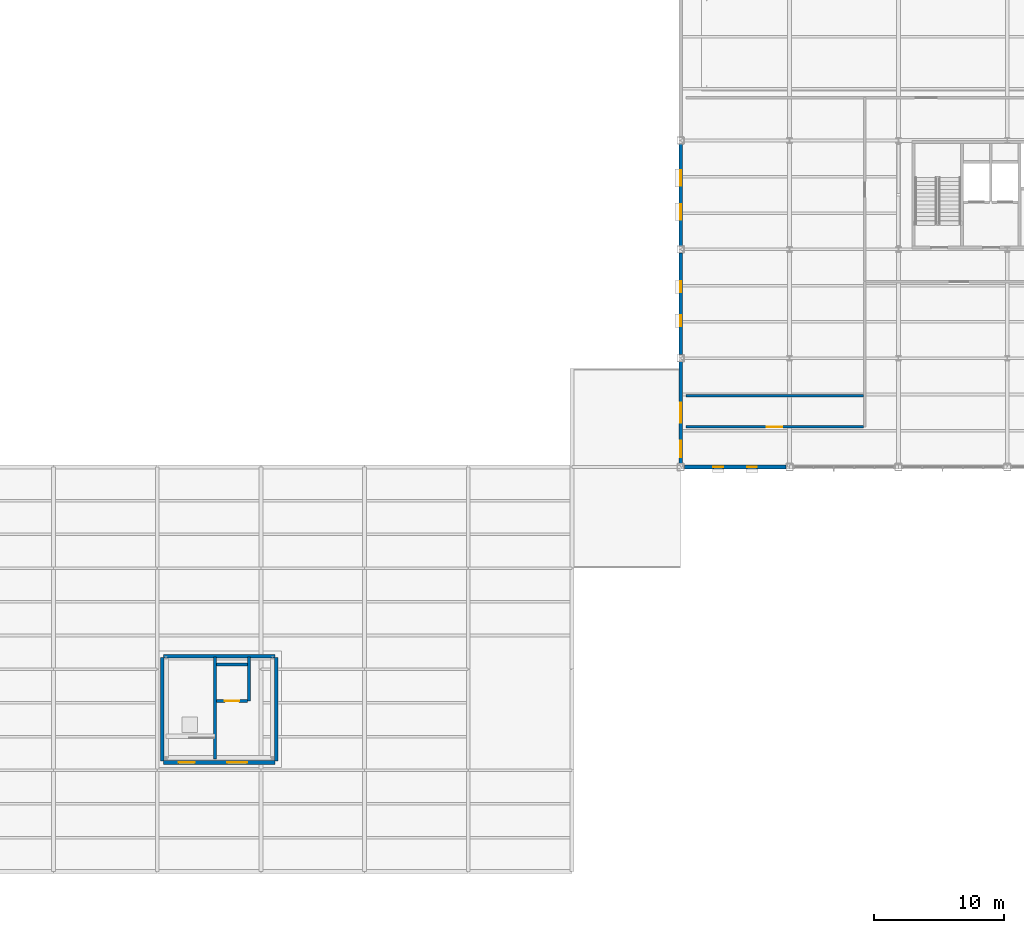
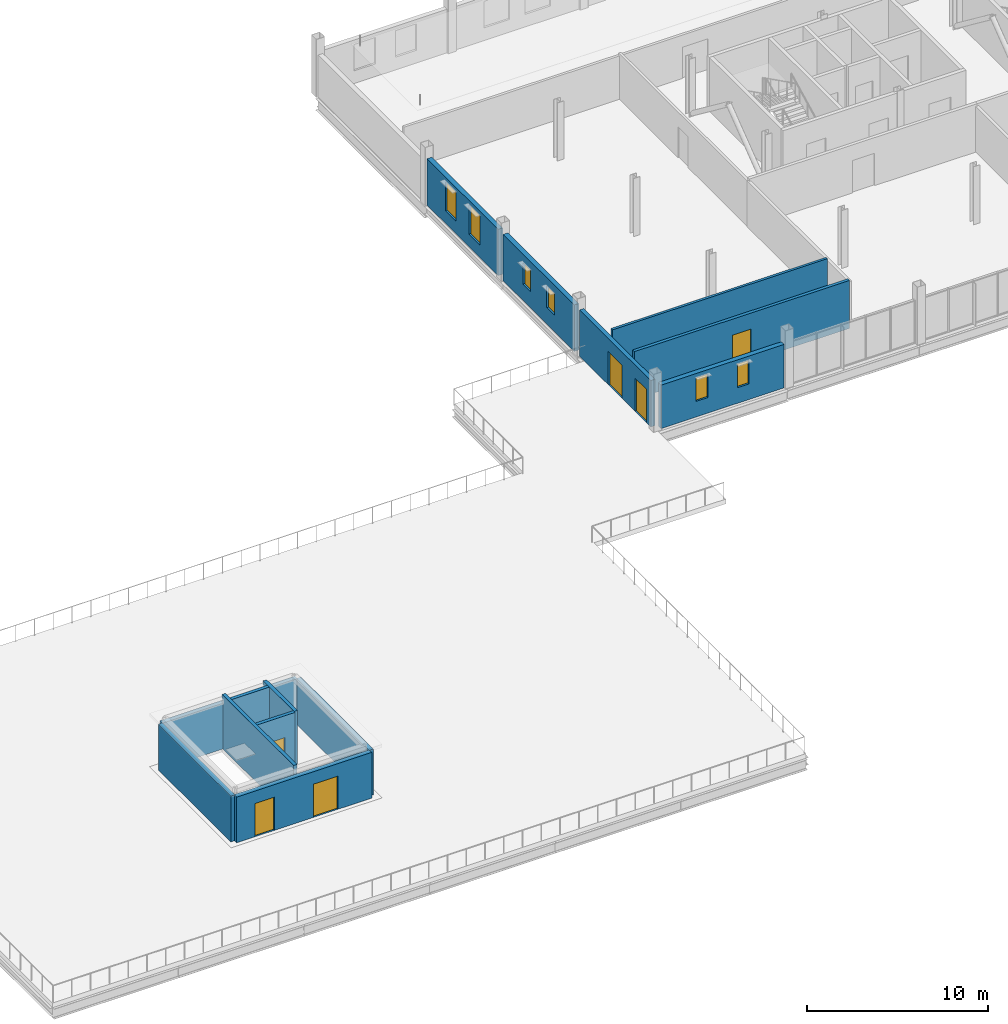
# One storey, part 62 of 77: 14 walls, 6 doors, 6 windows, 12 openings.
"""IFC4 building model written with IfcOpenShell, lengths in metres."""

from ifc_helpers import new_model, si_unit, direction, frame, frame_2d, origin, place, context, subcontext, project, spatial, rectangle, extrude, material, layer, layer_set, type_object, element, fill, save


model = new_model("IFC4")

# Units and contexts
model_context = context("Model", 3, precision=1e-05, world=origin(), true_north=direction((0.0, 1.0)))
body_context = subcontext(model_context, "Body", "Model", "MODEL_VIEW")
ifc_project = project(units=[si_unit("LENGTHUNIT", "METRE"), si_unit("AREAUNIT", "SQUARE_METRE"), si_unit("VOLUMEUNIT", "CUBIC_METRE"), si_unit("PLANEANGLEUNIT", "RADIAN"), si_unit("MASSUNIT", "GRAM", prefix="KILO")], contexts=[model_context])

# Site, building, storey
site_placement = place(None, origin())
site = spatial("IfcSite", under=ifc_project, at=site_placement, CompositionType="ELEMENT")
building_placement = place(site_placement, origin())
building = spatial("IfcBuilding", under=site, at=building_placement, Name="Yukiwa Park Conservatory and Herbarium", CompositionType="ELEMENT")
storey_placement = place(building_placement, frame((0.0, 0.0, 13.199951171875)))
storey = spatial("IfcBuildingStorey", under=building, at=storey_placement, Name="L03", CompositionType="ELEMENT", Elevation=13.199951171875)

# Wall
ifc_material_1 = material(Name="Concrete C40", Category="concrete")
ifc_layer_1 = layer(ifc_material_1, 0.219970703125)
ifc_layer_set_1 = layer_set([ifc_layer_1], Name="Concrete C40")
wall_type_1 = type_object("IfcWallType", Name="WL-CORE-RC220", PredefinedType="SHEAR", material=ifc_layer_set_1)
wall_1_placement = place(storey_placement, frame((80.4599609375, 55.449951171875, 0.0), z_axis=(0.0, 0.0, 1.0), x_axis=(0.0, 1.0, 0.0)))
element("IfcWall", 1, at=wall_1_placement, inside=storey, type_object=wall_type_1, Name="L03 core shear wall 323", PredefinedType="SHEAR", context=body_context, shape_type="SweptSolid", body=[
    extrude(rectangle(XDim=7.900146484375, YDim=0.219970703125, at=frame_2d((3.9501953125, 0.0))), origin(), (0.0, 0.0, 1.0), 3.6201171875),
])

# Wall, opening, door
wall_2_placement = place(storey_placement, frame((80.570068359375, 59.93994140625, 0.0), z_axis=(0.0, 0.0, 1.0), x_axis=(1.0, 0.0, 0.0)))
wall_2 = element("IfcWall", 2, at=wall_2_placement, inside=storey, type_object=wall_type_1, Name="L03 core shear wall 324", PredefinedType="SHEAR", context=body_context, shape_type="SweptSolid", body=[
    extrude(rectangle(XDim=2.39990234375, YDim=0.219970703125, at=frame_2d((1.199951171875, 0.0))), origin(), (0.0, 0.0, 1.0), 3.6201171875),
])
opening_1_placement = place(wall_2_placement, frame((0.64990234375, 0.0, 0.0)))
opening_1 = element("IfcOpeningElement", 3, at=opening_1_placement, cuts=wall_2, Name="Opening LD-01", PredefinedType="OPENING", context=body_context, shape_type="SweptSolid", body=[
    extrude(rectangle(XDim=1.10009765625, YDim=2.14990234375, at=frame_2d((0.550048828125, 1.074951171875))), frame((0.0, 0.1201171875, 0.0), z_axis=(0.0, -1.0, 0.0), x_axis=(1.0, 0.0, 0.0)), (0.0, 0.0, 1.0), 0.239990234375),
])
ifc_material_2 = material(Name="Steel Q235B", Category="steel")
door_type_1 = type_object("IfcDoorType", Name="DR-LIFT-LD1100", OperationType="SLIDING_TO_LEFT", PredefinedType="DOOR", material=ifc_material_2)
door_1_placement = place(opening_1_placement, origin())
door_1 = element("IfcDoor", 4, at=door_1_placement, inside=storey, type_object=door_type_1, Name="L03 Visitor Accessible Lift VL1 sliding landing door", OperationType="SLIDING_TO_LEFT", OverallHeight=2.14990234375, OverallWidth=1.10009765625, PredefinedType="DOOR", context=body_context, shape_type="SweptSolid", body=[
    extrude(rectangle(XDim=1.10009765625, YDim=2.14990234375, at=frame_2d((0.550048828125, 1.074951171875))), frame((0.0, 0.02490234375, 0.0), z_axis=(0.0, -1.0, 0.0), x_axis=(1.0, 0.0, 0.0)), (0.0, 0.0, 1.0), 0.050048828125),
])
fill(opening_1, door_1)

# Walls
wall_3_placement = place(storey_placement, frame((83.080078125, 59.93994140625, 0.0), z_axis=(0.0, 0.0, 1.0), x_axis=(0.0, 1.0, 0.0)))
element("IfcWall", 5, at=wall_3_placement, inside=storey, type_object=wall_type_1, Name="L03 core shear wall 325", PredefinedType="SHEAR", context=body_context, shape_type="SweptSolid", body=[
    extrude(rectangle(XDim=3.41015625, YDim=0.219970703125, at=frame_2d((1.705078125, 0.0))), origin(), (0.0, 0.0, 1.0), 3.6201171875),
])
wall_4_placement = place(storey_placement, frame((80.570068359375, 62.760009765625, 0.0), z_axis=(0.0, 0.0, 1.0), x_axis=(1.0, 0.0, 0.0)))
element("IfcWall", 6, at=wall_4_placement, inside=storey, type_object=wall_type_1, Name="L03 core shear wall 326", PredefinedType="SHEAR", context=body_context, shape_type="SweptSolid", body=[
    extrude(rectangle(XDim=2.39990234375, YDim=0.219970703125, at=frame_2d((1.199951171875, 0.0))), origin(), (0.0, 0.0, 1.0), 3.6201171875),
])

# Wall, openings, doors
ifc_material_3 = material(Name="Pale Granite Cladding", Category="masonry")
ifc_layer_2 = layer(ifc_material_3, 0.280029296875)
ifc_layer_set_2 = layer_set([ifc_layer_2], Name="Pale Granite Cladding")
wall_type_2 = type_object("IfcWallType", Name="WL-EXT-GRAN-280", PredefinedType="SOLIDWALL", material=ifc_layer_set_2)
wall_5_placement = place(storey_placement, frame((76.5, 55.199951171875, 0.0), z_axis=(0.0, 0.0, 1.0), x_axis=(1.0, 0.0, 0.0)))
wall_5 = element("IfcWall", 7, at=wall_5_placement, inside=storey, type_object=wall_type_2, Name="L03 C3 rooftop pavilion south wall", PredefinedType="SOLIDWALL", context=body_context, shape_type="SweptSolid", body=[
    extrude(rectangle(XDim=8.60009765625, YDim=0.280029296875, at=frame_2d((4.300048828125, 0.0))), origin(), (0.0, 0.0, 1.0), 3.080078125),
])
opening_2_placement = place(wall_5_placement, frame((4.89990234375, 0.0, 0.0)))
opening_2 = element("IfcOpeningElement", 8, at=opening_2_placement, cuts=wall_5, Name="Opening TD-02", PredefinedType="OPENING", context=body_context, shape_type="SweptSolid", body=[
    extrude(rectangle(XDim=1.5400390625, YDim=2.239990234375, at=frame_2d((0.77001953125, 1.1201171875))), frame((0.0, 0.14990234375, 0.0), z_axis=(0.0, -1.0, 0.0), x_axis=(1.0, 0.0, 0.0)), (0.0, 0.0, 1.0), 0.300048828125),
])
opening_3_placement = place(wall_5_placement, frame((1.14990234375, 0.0, 0.0)))
opening_3 = element("IfcOpeningElement", 9, at=opening_3_placement, cuts=wall_5, Name="Opening TD-01", PredefinedType="OPENING", context=body_context, shape_type="SweptSolid", body=[
    extrude(rectangle(XDim=1.260009765625, YDim=2.239990234375, at=frame_2d((0.6298828125, 1.1201171875))), frame((0.0, 0.14990234375, 0.0), z_axis=(0.0, -1.0, 0.0), x_axis=(1.0, 0.0, 0.0)), (0.0, 0.0, 1.0), 0.300048828125),
])
ifc_material_4 = material(Name="Steel Q235B", Category="steel")
door_type_2 = type_object("IfcDoorType", Name="DR-EXT-TER1200", OperationType="SINGLE_SWING_LEFT", PredefinedType="DOOR", material=ifc_material_4)
door_2_placement = place(opening_3_placement, frame((1.260009765625, 0.0, 0.0), z_axis=(0.0, 0.0, 1.0), x_axis=(-1.0, 0.0, 0.0)))
door_2 = element("IfcDoor", 10, at=door_2_placement, inside=storey, type_object=door_type_2, Name="L03 ST-V1 stair exit door to Planted Roof Terrace", OperationType="SINGLE_SWING_LEFT", OverallHeight=2.239990234375, OverallWidth=1.260009765625, PredefinedType="DOOR", context=body_context, shape_type="SweptSolid", body=[
    extrude(rectangle(XDim=1.260009765625, YDim=2.239990234375, at=frame_2d((0.6298828125, 1.1201171875))), frame((0.0, 0.02490234375, 0.0), z_axis=(0.0, -1.0, 0.0), x_axis=(1.0, 0.0, 0.0)), (0.0, 0.0, 1.0), 0.050048828125),
])
fill(opening_3, door_2)
ifc_material_5 = material(Name="Steel Q235B", Category="steel")
door_type_3 = type_object("IfcDoorType", Name="DR-EXT-TER1500", OperationType="DOUBLE_DOOR_SINGLE_SWING", PredefinedType="DOOR", material=ifc_material_5)
door_3_placement = place(opening_2_placement, frame((1.5400390625, 0.0, 0.0), z_axis=(0.0, 0.0, 1.0), x_axis=(-1.0, 0.0, 0.0)))
door_3 = element("IfcDoor", 11, at=door_3_placement, inside=storey, type_object=door_type_3, Name="L03 C3 lift lobby exit door to Planted Roof Terrace", OperationType="DOUBLE_DOOR_SINGLE_SWING", OverallHeight=2.239990234375, OverallWidth=1.5400390625, PredefinedType="DOOR", context=body_context, shape_type="SweptSolid", body=[
    extrude(rectangle(XDim=1.5400390625, YDim=2.239990234375, at=frame_2d((0.77001953125, 1.1201171875))), frame((0.0, 0.02490234375, 0.0), z_axis=(0.0, -1.0, 0.0), x_axis=(1.0, 0.0, 0.0)), (0.0, 0.0, 1.0), 0.050048828125),
])
fill(opening_2, door_3)

# Walls
wall_6_placement = place(storey_placement, frame((85.199951171875, 55.300048828125, 0.0), z_axis=(0.0, 0.0, 1.0), x_axis=(0.0, 1.0, 0.0)))
element("IfcWall", 12, at=wall_6_placement, inside=storey, type_object=wall_type_2, Name="L03 C3 rooftop pavilion east wall", PredefinedType="SOLIDWALL", context=body_context, shape_type="SweptSolid", body=[
    extrude(rectangle(XDim=8.0, YDim=0.280029296875, at=frame_2d((4.0, 0.0))), origin(), (0.0, 0.0, 1.0), 3.080078125),
])
wall_7_placement = place(storey_placement, frame((85.10009765625, 63.39990234375, 0.0), z_axis=(0.0, 0.0, 1.0), x_axis=(-1.0, 0.0, 0.0)))
element("IfcWall", 13, at=wall_7_placement, inside=storey, type_object=wall_type_2, Name="L03 C3 rooftop pavilion north wall", PredefinedType="SOLIDWALL", context=body_context, shape_type="SweptSolid", body=[
    extrude(rectangle(XDim=8.60009765625, YDim=0.280029296875, at=frame_2d((4.300048828125, 0.0))), origin(), (0.0, 0.0, 1.0), 3.080078125),
])
wall_8_placement = place(storey_placement, frame((76.39990234375, 63.300048828125, 0.0), z_axis=(0.0, 0.0, 1.0), x_axis=(0.0, -1.0, 0.0)))
element("IfcWall", 14, at=wall_8_placement, inside=storey, type_object=wall_type_2, Name="L03 C3 rooftop pavilion west wall", PredefinedType="SOLIDWALL", context=body_context, shape_type="SweptSolid", body=[
    extrude(rectangle(XDim=8.0, YDim=0.280029296875, at=frame_2d((4.0, 0.0))), origin(), (0.0, 0.0, 1.0), 3.080078125),
])

# Wall, openings, windows
ifc_material_6 = material(Name="Pale Granite Cladding", Category="masonry")
ifc_layer_3 = layer(ifc_material_6, 0.300048828125)
ifc_layer_set_3 = layer_set([ifc_layer_3], Name="Pale Granite Cladding")
wall_type_3 = type_object("IfcWallType", Name="WL-EXT-GRAN-300", PredefinedType="SOLIDWALL", material=ifc_layer_set_3)
wall_9_placement = place(storey_placement, frame((116.39990234375, 102.925048828125, 0.0), z_axis=(0.0, 0.0, 1.0), x_axis=(0.0, -1.0, 0.0)))
wall_9 = element("IfcWall", 15, at=wall_9_placement, inside=storey, type_object=wall_type_3, Name="L03 exterior envelope wall 254", PredefinedType="SOLIDWALL", context=body_context, shape_type="SweptSolid", body=[
    extrude(rectangle(XDim=7.85009765625, YDim=0.300048828125, at=frame_2d((3.925048828125, 0.0))), origin(), (0.0, 0.0, 1.0), 3.1201171875),
])
opening_4_placement = place(wall_9_placement, frame((2.01708984375, 0.0, 0.85009765625)))
opening_4 = element("IfcOpeningElement", 16, at=opening_4_placement, cuts=wall_9, Name="Opening W-03", PredefinedType="OPENING", context=body_context, shape_type="SweptSolid", body=[
    extrude(rectangle(XDim=1.199951171875, YDim=1.969970703125, at=frame_2d((0.60009765625, 0.98486328125))), frame((0.0, 0.16015625, 0.0), z_axis=(0.0, -1.0, 0.0), x_axis=(1.0, 0.0, 0.0)), (0.0, 0.0, 1.0), 0.320068359375),
])
opening_5_placement = place(wall_9_placement, frame((4.633056640625, 0.0, 0.85009765625)))
opening_5 = element("IfcOpeningElement", 17, at=opening_5_placement, cuts=wall_9, Name="Opening W-03", PredefinedType="OPENING", context=body_context, shape_type="SweptSolid", body=[
    extrude(rectangle(XDim=1.199951171875, YDim=1.969970703125, at=frame_2d((0.60009765625, 0.98486328125))), frame((0.0, 0.16015625, 0.0), z_axis=(0.0, -1.0, 0.0), x_axis=(1.0, 0.0, 0.0)), (0.0, 0.0, 1.0), 0.320068359375),
])
ifc_material_7 = material(Name="Triple Low-E Insulated Glass", Category="glass")
window_type_1 = type_object("IfcWindowType", Name="WN-TW-1200X2100", PartitioningType="SINGLE_PANEL", PredefinedType="WINDOW", material=ifc_material_7)
window_1_placement = place(opening_4_placement, origin())
window_1 = element("IfcWindow", 18, at=window_1_placement, inside=storey, type_object=window_type_1, Name="L03 deep-reveal triple-glazed window 192", OverallHeight=1.969970703125, OverallWidth=1.199951171875, PartitioningType="SINGLE_PANEL", PredefinedType="WINDOW", context=body_context, shape_type="SweptSolid", body=[
    extrude(rectangle(XDim=1.199951171875, YDim=1.969970703125, at=frame_2d((0.60009765625, 0.98486328125))), frame((0.0, 0.030029296875, 0.0), z_axis=(0.0, -1.0, 0.0), x_axis=(1.0, 0.0, 0.0)), (0.0, 0.0, 1.0), 0.06005859375),
])
fill(opening_4, window_1)
window_2_placement = place(opening_5_placement, origin())
window_2 = element("IfcWindow", 19, at=window_2_placement, inside=storey, type_object=window_type_1, Name="L03 deep-reveal triple-glazed window 193", OverallHeight=1.969970703125, OverallWidth=1.199951171875, PartitioningType="SINGLE_PANEL", PredefinedType="WINDOW", context=body_context, shape_type="SweptSolid", body=[
    extrude(rectangle(XDim=1.199951171875, YDim=1.969970703125, at=frame_2d((0.60009765625, 0.98486328125))), frame((0.0, 0.030029296875, 0.0), z_axis=(0.0, -1.0, 0.0), x_axis=(1.0, 0.0, 0.0)), (0.0, 0.0, 1.0), 0.06005859375),
])
fill(opening_5, window_2)

wall_10_placement = place(storey_placement, frame((116.39990234375, 94.52490234375, 0.0), z_axis=(0.0, 0.0, 1.0), x_axis=(0.0, -1.0, 0.0)))
wall_10 = element("IfcWall", 20, at=wall_10_placement, inside=storey, type_object=wall_type_3, Name="L03 exterior envelope wall 255", PredefinedType="SOLIDWALL", context=body_context, shape_type="SweptSolid", body=[
    extrude(rectangle(XDim=7.849853515625, YDim=0.300048828125, at=frame_2d((3.9248046875, 0.0))), origin(), (0.0, 0.0, 1.0), 3.1201171875),
])
opening_6_placement = place(wall_10_placement, frame((2.19189453125, 0.0, 1.10009765625)))
opening_6 = element("IfcOpeningElement", 21, at=opening_6_placement, cuts=wall_10, Name="Opening W-27", PredefinedType="OPENING", context=body_context, shape_type="SweptSolid", body=[
    extrude(rectangle(XDim=0.85009765625, YDim=1.449951171875, at=frame_2d((0.425048828125, 0.72509765625))), frame((0.0, 0.16015625, 0.0), z_axis=(0.0, -1.0, 0.0), x_axis=(1.0, 0.0, 0.0)), (0.0, 0.0, 1.0), 0.320068359375),
])
opening_7_placement = place(wall_10_placement, frame((4.80810546875, 0.0, 1.10009765625)))
opening_7 = element("IfcOpeningElement", 22, at=opening_7_placement, cuts=wall_10, Name="Opening W-27", PredefinedType="OPENING", context=body_context, shape_type="SweptSolid", body=[
    extrude(rectangle(XDim=0.85009765625, YDim=1.449951171875, at=frame_2d((0.425048828125, 0.72509765625))), frame((0.0, 0.16015625, 0.0), z_axis=(0.0, -1.0, 0.0), x_axis=(1.0, 0.0, 0.0)), (0.0, 0.0, 1.0), 0.320068359375),
])
ifc_material_8 = material(Name="Triple Low-E Insulated Glass", Category="glass")
window_type_2 = type_object("IfcWindowType", Name="WN-HB-0850X1450", PartitioningType="SINGLE_PANEL", PredefinedType="WINDOW", material=ifc_material_8)
window_3_placement = place(opening_6_placement, origin())
window_3 = element("IfcWindow", 23, at=window_3_placement, inside=storey, type_object=window_type_2, Name="L03 deep-reveal triple-glazed window 194", OverallHeight=1.449951171875, OverallWidth=0.85009765625, PartitioningType="SINGLE_PANEL", PredefinedType="WINDOW", context=body_context, shape_type="SweptSolid", body=[
    extrude(rectangle(XDim=0.85009765625, YDim=1.449951171875, at=frame_2d((0.425048828125, 0.72509765625))), frame((0.0, 0.030029296875, 0.0), z_axis=(0.0, -1.0, 0.0), x_axis=(1.0, 0.0, 0.0)), (0.0, 0.0, 1.0), 0.06005859375),
])
fill(opening_6, window_3)
window_4_placement = place(opening_7_placement, origin())
window_4 = element("IfcWindow", 24, at=window_4_placement, inside=storey, type_object=window_type_2, Name="L03 deep-reveal triple-glazed window 195", OverallHeight=1.449951171875, OverallWidth=0.85009765625, PartitioningType="SINGLE_PANEL", PredefinedType="WINDOW", context=body_context, shape_type="SweptSolid", body=[
    extrude(rectangle(XDim=0.85009765625, YDim=1.449951171875, at=frame_2d((0.425048828125, 0.72509765625))), frame((0.0, 0.030029296875, 0.0), z_axis=(0.0, -1.0, 0.0), x_axis=(1.0, 0.0, 0.0)), (0.0, 0.0, 1.0), 0.06005859375),
])
fill(opening_7, window_4)

wall_11_placement = place(storey_placement, frame((116.675048828125, 78.0, 0.0), z_axis=(0.0, 0.0, 1.0), x_axis=(1.0, 0.0, 0.0)))
wall_11 = element("IfcWall", 25, at=wall_11_placement, inside=storey, type_object=wall_type_3, Name="L03 exterior envelope wall 257", PredefinedType="SOLIDWALL", context=body_context, shape_type="SweptSolid", body=[
    extrude(rectangle(XDim=7.849853515625, YDim=0.300048828125, at=frame_2d((3.9248046875, 0.0))), origin(), (0.0, 0.0, 1.0), 2.927978515625),
])
opening_8_placement = place(wall_11_placement, frame((2.241943359375, 0.0, 1.050048828125)))
opening_8 = element("IfcOpeningElement", 26, at=opening_8_placement, cuts=wall_11, Name="Opening W-10", PredefinedType="OPENING", context=body_context, shape_type="SweptSolid", body=[
    extrude(rectangle(XDim=0.75, YDim=1.580078125, at=frame_2d((0.375, 0.7900390625))), frame((0.0, 0.16015625, 0.0), z_axis=(0.0, -1.0, 0.0), x_axis=(1.0, 0.0, 0.0)), (0.0, 0.0, 1.0), 0.320068359375),
])
opening_9_placement = place(wall_11_placement, frame((4.85791015625, 0.0, 1.050048828125)))
opening_9 = element("IfcOpeningElement", 27, at=opening_9_placement, cuts=wall_11, Name="Opening W-10", PredefinedType="OPENING", context=body_context, shape_type="SweptSolid", body=[
    extrude(rectangle(XDim=0.75, YDim=1.580078125, at=frame_2d((0.375, 0.7900390625))), frame((0.0, 0.16015625, 0.0), z_axis=(0.0, -1.0, 0.0), x_axis=(1.0, 0.0, 0.0)), (0.0, 0.0, 1.0), 0.320068359375),
])
ifc_material_9 = material(Name="Triple Low-E Insulated Glass", Category="glass")
window_type_3 = type_object("IfcWindowType", Name="WN-HB-0750X1600", PartitioningType="SINGLE_PANEL", PredefinedType="WINDOW", material=ifc_material_9)
window_5_placement = place(opening_8_placement, origin())
window_5 = element("IfcWindow", 28, at=window_5_placement, inside=storey, type_object=window_type_3, Name="L03 deep-reveal triple-glazed window 196", OverallHeight=1.580078125, OverallWidth=0.75, PartitioningType="SINGLE_PANEL", PredefinedType="WINDOW", context=body_context, shape_type="SweptSolid", body=[
    extrude(rectangle(XDim=0.75, YDim=1.580078125, at=frame_2d((0.375, 0.7900390625))), frame((0.0, 0.030029296875, 0.0), z_axis=(0.0, -1.0, 0.0), x_axis=(1.0, 0.0, 0.0)), (0.0, 0.0, 1.0), 0.06005859375),
])
fill(opening_8, window_5)
window_6_placement = place(opening_9_placement, origin())
window_6 = element("IfcWindow", 29, at=window_6_placement, inside=storey, type_object=window_type_3, Name="L03 deep-reveal triple-glazed window 197", OverallHeight=1.580078125, OverallWidth=0.75, PartitioningType="SINGLE_PANEL", PredefinedType="WINDOW", context=body_context, shape_type="SweptSolid", body=[
    extrude(rectangle(XDim=0.75, YDim=1.580078125, at=frame_2d((0.375, 0.7900390625))), frame((0.0, 0.030029296875, 0.0), z_axis=(0.0, -1.0, 0.0), x_axis=(1.0, 0.0, 0.0)), (0.0, 0.0, 1.0), 0.06005859375),
])
fill(opening_9, window_6)

# Wall, openings, doors
ifc_material_10 = material(Name="Charred Larch Cladding", Category="wood")
ifc_layer_4 = layer(ifc_material_10, 0.260009765625)
ifc_layer_set_4 = layer_set([ifc_layer_4], Name="Charred Larch Cladding")
wall_type_4 = type_object("IfcWallType", Name="WL-EXT-LARCH-260", PredefinedType="SOLIDWALL", material=ifc_layer_set_4)
wall_12_placement = place(storey_placement, frame((116.39990234375, 86.125, 0.0), z_axis=(0.0, 0.0, 1.0), x_axis=(0.0, -1.0, 0.0)))
wall_12 = element("IfcWall", 30, at=wall_12_placement, inside=storey, type_object=wall_type_4, Name="L03 exterior envelope wall 256", PredefinedType="SOLIDWALL", context=body_context, shape_type="SweptSolid", body=[
    extrude(rectangle(XDim=7.85009765625, YDim=0.260009765625, at=frame_2d((3.925048828125, 0.0))), origin(), (0.0, 0.0, 1.0), 3.1201171875),
])
opening_10_placement = place(wall_12_placement, frame((3.155029296875, 0.0, 0.0)))
opening_10 = element("IfcOpeningElement", 31, at=opening_10_placement, cuts=wall_12, Name="Opening TD-02", PredefinedType="OPENING", context=body_context, shape_type="SweptSolid", body=[
    extrude(rectangle(XDim=1.5400390625, YDim=2.239990234375, at=frame_2d((0.77001953125, 1.1201171875))), frame((0.0, 0.14013671875, 0.0), z_axis=(0.0, -1.0, 0.0), x_axis=(1.0, 0.0, 0.0)), (0.0, 0.0, 1.0), 0.280029296875),
])
opening_11_placement = place(wall_12_placement, frame((6.094970703125, 0.0, 0.0)))
opening_11 = element("IfcOpeningElement", 32, at=opening_11_placement, cuts=wall_12, Name="Opening TD-01", PredefinedType="OPENING", context=body_context, shape_type="SweptSolid", body=[
    extrude(rectangle(XDim=1.260009765625, YDim=2.239990234375, at=frame_2d((0.6298828125, 1.1201171875))), frame((0.0, 0.14013671875, 0.0), z_axis=(0.0, -1.0, 0.0), x_axis=(1.0, 0.0, 0.0)), (0.0, 0.0, 1.0), 0.280029296875),
])
door_4_placement = place(opening_11_placement, frame((1.260009765625, 0.0, 0.0), z_axis=(0.0, 0.0, 1.0), x_axis=(-1.0, 0.0, 0.0)))
door_4 = element("IfcDoor", 33, at=door_4_placement, inside=storey, type_object=door_type_2, Name="L03 Herbarium vault door to Planted Roof Terrace", OperationType="SINGLE_SWING_LEFT", OverallHeight=2.239990234375, OverallWidth=1.260009765625, PredefinedType="DOOR", context=body_context, shape_type="SweptSolid", body=[
    extrude(rectangle(XDim=1.260009765625, YDim=2.239990234375, at=frame_2d((0.6298828125, 1.1201171875))), frame((0.0, 0.02490234375, 0.0), z_axis=(0.0, -1.0, 0.0), x_axis=(1.0, 0.0, 0.0)), (0.0, 0.0, 1.0), 0.050048828125),
])
fill(opening_11, door_4)
door_5_placement = place(opening_10_placement, frame((1.5400390625, 0.0, 0.0), z_axis=(0.0, 0.0, 1.0), x_axis=(-1.0, 0.0, 0.0)))
door_5 = element("IfcDoor", 34, at=door_5_placement, inside=storey, type_object=door_type_3, Name="L03 Tower corridor door to Planted Roof Terrace", OperationType="DOUBLE_DOOR_SINGLE_SWING", OverallHeight=2.239990234375, OverallWidth=1.5400390625, PredefinedType="DOOR", context=body_context, shape_type="SweptSolid", body=[
    extrude(rectangle(XDim=1.5400390625, YDim=2.239990234375, at=frame_2d((0.77001953125, 1.1201171875))), frame((0.0, 0.02490234375, 0.0), z_axis=(0.0, -1.0, 0.0), x_axis=(1.0, 0.0, 0.0)), (0.0, 0.0, 1.0), 0.050048828125),
])
fill(opening_10, door_5)

# Wall, opening, door
ifc_material_11 = material(Name="Gypsum Board Partition", Category="gypsum")
ifc_layer_5 = layer(ifc_material_11, 0.199951171875)
ifc_layer_set_5 = layer_set([ifc_layer_5], Name="Gypsum Board Partition")
wall_type_5 = type_object("IfcWallType", Name="WL-PART-FIRE-200", PredefinedType="SOLIDWALL", material=ifc_layer_set_5)
wall_13_placement = place(storey_placement, frame((116.800048828125, 81.10009765625, 0.0), z_axis=(0.0, 0.0, 1.0), x_axis=(1.0, 0.0, 0.0)))
wall_13 = element("IfcWall", 35, at=wall_13_placement, inside=storey, type_object=wall_type_5, Name="L03 interior partition wall 338", PredefinedType="SOLIDWALL", context=body_context, shape_type="SweptSolid", body=[
    extrude(rectangle(XDim=13.699951171875, YDim=0.199951171875, at=frame_2d((6.85009765625, 0.0))), origin(), (0.0, 0.0, 1.0), 3.22998046875),
])
opening_12_placement = place(wall_13_placement, frame((6.25, 0.0, 0.0)))
opening_12 = element("IfcOpeningElement", 36, at=opening_12_placement, cuts=wall_13, Name="Opening FD-05", PredefinedType="OPENING", context=body_context, shape_type="SweptSolid", body=[
    extrude(rectangle(XDim=1.179931640625, YDim=2.14990234375, at=frame_2d((0.58984375, 1.074951171875))), frame((0.0, 0.10986328125, 0.0), z_axis=(0.0, -1.0, 0.0), x_axis=(1.0, 0.0, 0.0)), (0.0, 0.0, 1.0), 0.219970703125),
])
ifc_material_12 = material(Name="Steel Q235B", Category="steel")
door_type_4 = type_object("IfcDoorType", Name="DR-FIRE-FD60-1200", OperationType="SINGLE_SWING_LEFT", PredefinedType="DOOR", material=ifc_material_12)
door_6_placement = place(opening_12_placement, origin())
door_6 = element("IfcDoor", 37, at=door_6_placement, inside=storey, type_object=door_type_4, Name="L03 SW Herbarium fire door", OperationType="SINGLE_SWING_LEFT", OverallHeight=2.14990234375, OverallWidth=1.179931640625, PredefinedType="DOOR", context=body_context, shape_type="SweptSolid", body=[
    extrude(rectangle(XDim=1.179931640625, YDim=2.14990234375, at=frame_2d((0.58984375, 1.074951171875))), frame((0.0, 0.02490234375, 0.0), z_axis=(0.0, -1.0, 0.0), x_axis=(1.0, 0.0, 0.0)), (0.0, 0.0, 1.0), 0.050048828125),
])
fill(opening_12, door_6)

# Wall
ifc_material_13 = material(Name="Gypsum Board Partition", Category="gypsum")
ifc_layer_6 = layer(ifc_material_13, 0.159912109375)
ifc_layer_set_6 = layer_set([ifc_layer_6], Name="Gypsum Board Partition")
wall_type_6 = type_object("IfcWallType", Name="WL-PART-GYP-160", PredefinedType="PARTITIONING", material=ifc_layer_set_6)
wall_14_placement = place(storey_placement, frame((116.800048828125, 83.5, 0.0), z_axis=(0.0, 0.0, 1.0), x_axis=(1.0, 0.0, 0.0)))
element("IfcWall", 38, at=wall_14_placement, inside=storey, type_object=wall_type_6, Name="L03 interior partition wall 345", PredefinedType="PARTITIONING", context=body_context, shape_type="SweptSolid", body=[
    extrude(rectangle(XDim=13.699951171875, YDim=0.159912109375, at=frame_2d((6.85009765625, 0.0))), origin(), (0.0, 0.0, 1.0), 3.22998046875),
])

save(model, "model.ifc")
